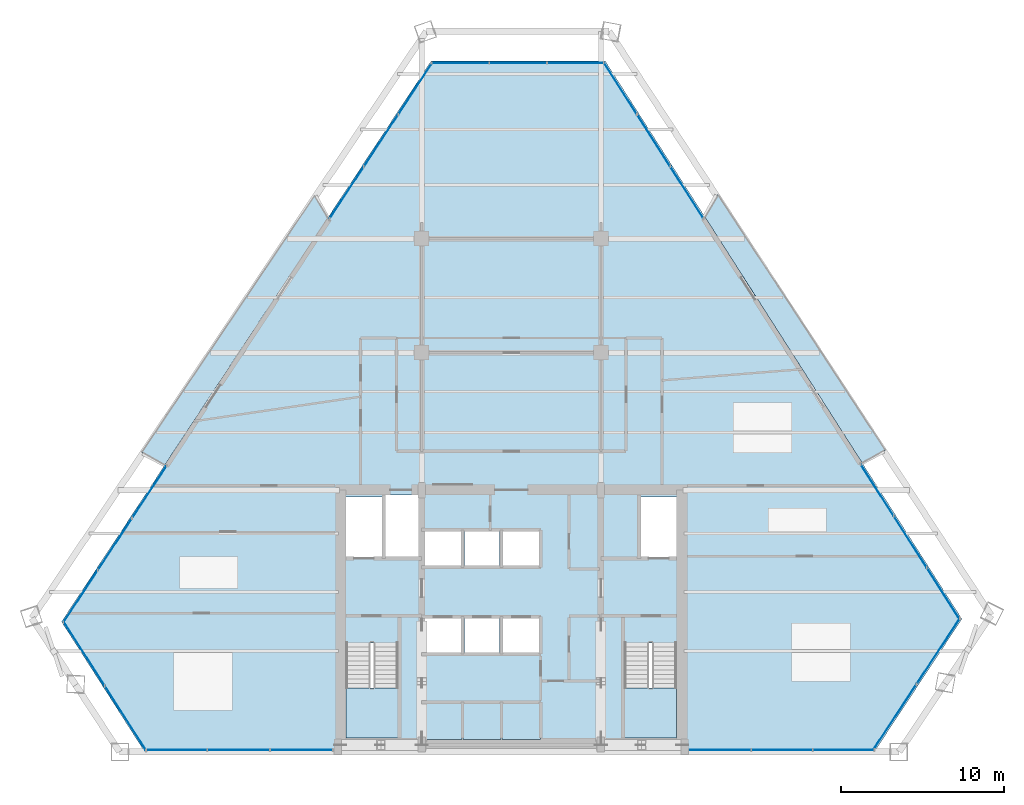
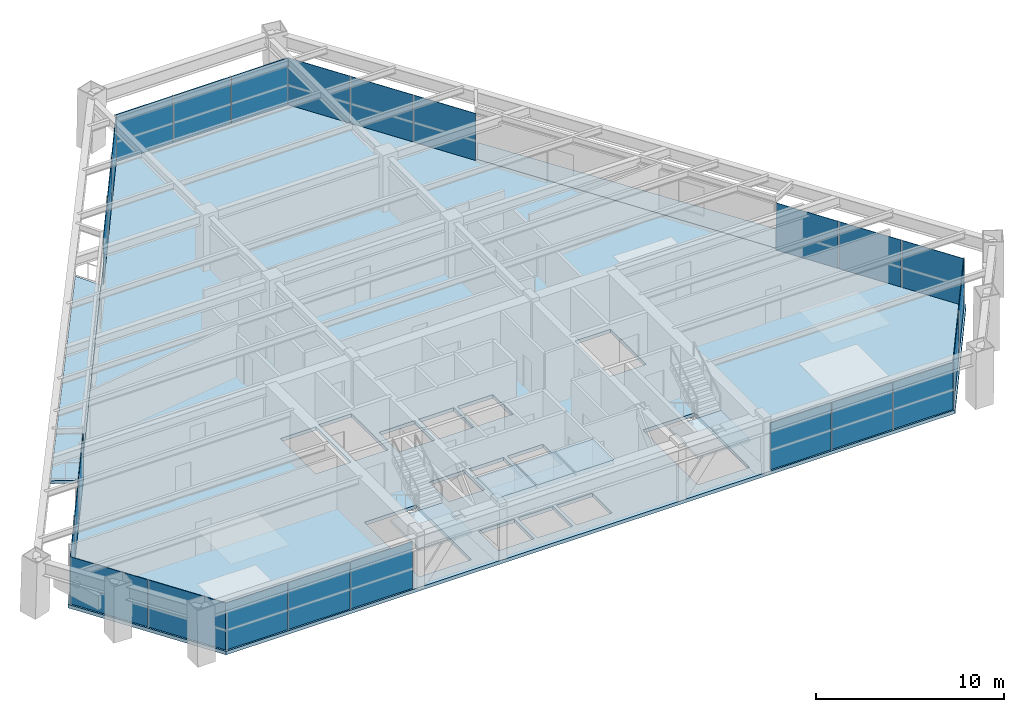
# One storey, part 9 of 14: 25 plates, 8 slabs, 11 elements without a shape of their own.
"""IFC4 building model written with IfcOpenShell, lengths in metres."""

import ifcopenshell
import ifcopenshell.guid

model = None  # the IFC model being written
_history = None  # IfcOwnerHistory: only IFC2X3 demands one
_inside = {}  # id of a spatial element -> (the spatial element, [elements in it])
_under = {}  # id of a project, library or spatial element -> (it, [spatial elements below it])
_declared = {}  # id of a project -> (the project, [libraries it declares])
_typed = {}  # id of a type object -> (the type object, [elements of that type])
_made_of = {}  # id of a material, layer set ... -> (it, [elements and type objects made of it])


def new_model(schema):
    """Start an empty IFC model of exactly this schema.

    Asked for "IFC4X3", IfcOpenShell would pick the latest addendum, in which some entities
    have other attributes; the version numbers below select the first issue.
    IFC2X3 requires an IfcOwnerHistory on every rooted entity: one is made here for all.
    """
    global model, _history
    if schema == "IFC4X3":
        model = ifcopenshell.file(schema_version=(4, 3, 0, 0))
    else:
        model = ifcopenshell.file(schema=schema)
    _inside.clear()
    _under.clear()
    _declared.clear()
    _typed.clear()
    _made_of.clear()
    _history = None
    if model.schema == "IFC2X3":
        org = make("IfcOrganization", Name="unknown")
        user = make(
            "IfcPersonAndOrganization",
            ThePerson=make("IfcPerson", FamilyName="unknown"),
            TheOrganization=org,
        )
        app = make(
            "IfcApplication",
            ApplicationDeveloper=org,
            Version="unknown",
            ApplicationFullName="unknown",
            ApplicationIdentifier="unknown",
        )
        _history = make(
            "IfcOwnerHistory",
            OwningUser=user,
            OwningApplication=app,
            ChangeAction="ADDED",
            CreationDate=0,
        )
    return model


def make(cls, **values):
    """One entity of the class cls with the attributes given. An attribute that is None is left unset."""
    return model.create_entity(
        cls, **{name: value for name, value in values.items() if value is not None}
    )


def rooted(cls, **values):
    """An entity with a GlobalId (a new one), such as an element, a storey or a relation."""
    return make(cls, GlobalId=ifcopenshell.guid.new(), OwnerHistory=_history, **values)


def si_unit(unit_type, name, prefix=None):
    """IfcSIUnit, for example si_unit("LENGTHUNIT", "METRE", prefix="MILLI")."""
    return make("IfcSIUnit", UnitType=unit_type, Prefix=prefix, Name=name)


def assignment(units):
    """IfcUnitAssignment: the units of a project."""
    return None if units is None else make("IfcUnitAssignment", Units=units)


def point(xyz):
    """IfcCartesianPoint."""
    return None if xyz is None else make("IfcCartesianPoint", Coordinates=xyz)


def direction(xyz):
    """IfcDirection."""
    return None if xyz is None else make("IfcDirection", DirectionRatios=xyz)


def frame(location, z_axis=None, x_axis=None):
    """IfcAxis2Placement3D, a coordinate frame: its origin and axes. An axis left out is left unset."""
    return make(
        "IfcAxis2Placement3D",
        Location=point(location),
        Axis=direction(z_axis),
        RefDirection=direction(x_axis),
    )


def frame_2d(location, x_axis=None):
    """IfcAxis2Placement2D, a coordinate frame in the plane: its origin and x axis."""
    return make(
        "IfcAxis2Placement2D", Location=point(location), RefDirection=direction(x_axis)
    )


def origin():
    """The frame at (0, 0, 0) with its axes left unset."""
    return frame((0.0, 0.0, 0.0))


def origin_2d():
    """The frame at (0, 0) in the plane with its x axis left unset."""
    return frame_2d((0.0, 0.0))


def place(relative_to, where):
    """IfcLocalPlacement: puts the frame where relative to a parent placement (None: the world)."""
    return make(
        "IfcLocalPlacement", PlacementRelTo=relative_to, RelativePlacement=where
    )


def context(
    kind, dimensions, precision=None, world=None, true_north=None, identifier=None
):
    """IfcGeometricRepresentationContext, for example the 3D "Model" context."""
    return make(
        "IfcGeometricRepresentationContext",
        ContextIdentifier=identifier,
        ContextType=kind,
        CoordinateSpaceDimension=dimensions,
        Precision=precision,
        WorldCoordinateSystem=world,
        TrueNorth=true_north,
    )


def subcontext(parent, identifier, kind, view, scale=None):
    """IfcGeometricRepresentationSubContext, for example "Body" below "Model"."""
    return make(
        "IfcGeometricRepresentationSubContext",
        ContextIdentifier=identifier,
        ContextType=kind,
        ParentContext=parent,
        TargetScale=scale,
        TargetView=view,
    )


def project(units=None, contexts=None):
    """IfcProject with its units and contexts."""
    return rooted(
        "IfcProject",
        Name="project",
        RepresentationContexts=contexts,
        UnitsInContext=assignment(units),
    )


def spatial(cls, under=None, at=None, **own):
    """A site, building, storey or space (cls), placed at a placement, below another one or the project."""
    s = rooted(cls, ObjectPlacement=at, **own)
    if under is not None:
        _under.setdefault(under.id(), (under, []))[1].append(s)
    return s


def polyline(points):
    """IfcPolyline through the points."""
    return make("IfcPolyline", Points=[point(p) for p in points])


def profile(cls, at=None, kind="AREA", **sizes):
    """A parametric profile (cls). Its sizes go by their IFC names, for example OverallWidth=200.0."""
    return make(cls, ProfileType=kind, Position=at, **sizes)


def rectangle(**sizes):
    """IfcRectangleProfileDef."""
    return profile("IfcRectangleProfileDef", **sizes)


def outline(outer, holes=None, kind="AREA"):
    """IfcArbitraryClosedProfileDef: a profile drawn as a closed curve; with holes, ...WithVoids."""
    if holes is None:
        return make("IfcArbitraryClosedProfileDef", ProfileType=kind, OuterCurve=outer)
    return make(
        "IfcArbitraryProfileDefWithVoids",
        ProfileType=kind,
        OuterCurve=outer,
        InnerCurves=holes,
    )


def extrude(swept, where, along, depth):
    """IfcExtrudedAreaSolid: the profile swept, set in the frame where, extruded along a direction by depth."""
    return make(
        "IfcExtrudedAreaSolid",
        SweptArea=swept,
        Position=where,
        ExtrudedDirection=direction(along),
        Depth=depth,
    )


def shape(context_of_items, identifier, shape_type, items):
    """IfcShapeRepresentation: the items that make up one representation, for example the "Body"."""
    return make(
        "IfcShapeRepresentation",
        ContextOfItems=context_of_items,
        RepresentationIdentifier=identifier,
        RepresentationType=shape_type,
        Items=items,
    )


def source(mapping_origin, context_of_items, identifier, shape_type, items):
    """IfcRepresentationMap: a shape defined once, which mapped items show again and again."""
    return make(
        "IfcRepresentationMap",
        MappingOrigin=mapping_origin,
        MappedRepresentation=shape(context_of_items, identifier, shape_type, items),
    )


def transform(
    local_origin,
    x_axis=None,
    y_axis=None,
    z_axis=None,
    scale=None,
    scale2=None,
    scale3=None,
    uniform=True,
):
    """IfcCartesianTransformationOperator3D, or its non-uniform kind. x_axis, y_axis, z_axis: its Axis1, 2, 3."""
    if uniform:
        return make(
            "IfcCartesianTransformationOperator3D",
            Axis1=direction(x_axis),
            Axis2=direction(y_axis),
            LocalOrigin=point(local_origin),
            Scale=scale,
            Axis3=direction(z_axis),
        )
    return make(
        "IfcCartesianTransformationOperator3DnonUniform",
        Axis1=direction(x_axis),
        Axis2=direction(y_axis),
        LocalOrigin=point(local_origin),
        Scale=scale,
        Axis3=direction(z_axis),
        Scale2=scale2,
        Scale3=scale3,
    )


def mapped(mapping_source, mapping_target):
    """IfcMappedItem: shows the shape of a source again, moved by a transform."""
    return make(
        "IfcMappedItem", MappingSource=mapping_source, MappingTarget=mapping_target
    )


def material(Name=None, Category=None):
    """IfcMaterial."""
    return make("IfcMaterial", Name=Name, Category=Category)


def layer(
    of_material, thickness, ventilated=None, Name=None, Category=None, Priority=None
):
    """IfcMaterialLayer: one layer of a wall or slab, of a material (None: an air gap)."""
    return make(
        "IfcMaterialLayer",
        Material=of_material,
        LayerThickness=thickness,
        IsVentilated=ventilated,
        Name=Name,
        Category=Category,
        Priority=Priority,
    )


def layer_set(layers, Name=None):
    """IfcMaterialLayerSet."""
    return make("IfcMaterialLayerSet", MaterialLayers=layers, LayerSetName=Name)


def made_of(thing, what):
    """Note that an element or type object is made of a material, layer set ...; save() writes the relation."""
    if what is not None:
        _made_of.setdefault(what.id(), (what, []))[1].append(thing)
    return thing


def type_object(cls, material=None, **own):
    """A type object (cls), such as IfcWallType, which elements share."""
    return made_of(rooted(cls, **own), material)


def type_shapes(of_type, sources):
    """Give a type object the sources (RepresentationMaps) that its elements show as mapped items."""
    of_type.RepresentationMaps = sources


def element(
    cls,
    number,
    at=None,
    inside=None,
    cuts=None,
    type_object=None,
    material=None,
    context=None,
    identifier="Body",
    shape_type=None,
    held_by="IfcProductDefinitionShape",
    body=None,
    shapes=None,
    **own,
):
    """One element of the class cls, such as IfcWall. Its Tag is "e" and its number.

    at: its placement. inside: the storey or other place that contains it. cuts: it is an
    opening in that element (IfcRelVoidsElement). A single representation is given by context,
    identifier, shape_type and body (its items); several are given by shapes. held_by: the class
    of the entity that holds the representations. save() writes the other relations.
    """
    e = rooted(cls, Tag="e%d" % number, ObjectPlacement=at, **own)
    if body is not None:
        shapes = [shape(context, identifier, shape_type, body)]
    if shapes is not None:
        e.Representation = make(held_by, Representations=shapes)
    if inside is not None:
        _inside.setdefault(inside.id(), (inside, []))[1].append(e)
    if cuts is not None:
        rooted(
            "IfcRelVoidsElement", RelatingBuildingElement=cuts, RelatedOpeningElement=e
        )
    if type_object is not None:
        _typed.setdefault(type_object.id(), (type_object, []))[1].append(e)
    return made_of(e, material)


def aggregate(whole, parts):
    """IfcRelAggregates: a whole, such as a stair, and the parts it consists of."""
    return rooted("IfcRelAggregates", RelatingObject=whole, RelatedObjects=parts)


def save(model, path):
    """Write the relations noted so far, then the file.

    IfcRelAggregates (storeys below a building ...), IfcRelContainedInSpatialStructure (elements
    in a storey), IfcRelDefinesByType, IfcRelAssociatesMaterial and IfcRelDeclares: one each for
    every whole, place, type object, material and project.
    """
    for whole, parts in _under.values():
        aggregate(whole, parts)
    for where, things in _inside.values():
        rooted(
            "IfcRelContainedInSpatialStructure",
            RelatedElements=things,
            RelatingStructure=where,
        )
    for kind, things in _typed.values():
        rooted("IfcRelDefinesByType", RelatedObjects=things, RelatingType=kind)
    for what, things in _made_of.values():
        rooted("IfcRelAssociatesMaterial", RelatedObjects=things, RelatingMaterial=what)
    for by, libraries in _declared.values():
        rooted("IfcRelDeclares", RelatingContext=by, RelatedDefinitions=libraries)
    model.write(path)


model = new_model("IFC4")

# Units and contexts
model_context = context("Model", 3, precision=1e-05, world=origin(), true_north=direction((0.0, 1.0)))
body_context = subcontext(model_context, "Body", "Model", "MODEL_VIEW")
ifc_project = project(units=[si_unit("LENGTHUNIT", "METRE"), si_unit("AREAUNIT", "SQUARE_METRE"), si_unit("VOLUMEUNIT", "CUBIC_METRE"), si_unit("PLANEANGLEUNIT", "RADIAN"), si_unit("MASSUNIT", "GRAM", prefix="KILO")], contexts=[model_context])

# Site, building, storey
site_placement = place(None, origin())
site = spatial("IfcSite", under=ifc_project, at=site_placement, CompositionType="ELEMENT")
building_placement = place(site_placement, origin())
building = spatial("IfcBuilding", under=site, at=building_placement, Name="Varnakhor Terracotta Tower", CompositionType="ELEMENT")
storey_placement = place(building_placement, frame((0.0, 0.0, 125.60009765625)))
storey = spatial("IfcBuildingStorey", under=building, at=storey_placement, Name="L31", CompositionType="ELEMENT", Elevation=125.60009765625)

# Stair, slab
ifc_material_1 = material(Name="Concrete C40/50", Category="concrete")
stair_type = type_object("IfcStairType", Name="STR-CORE-OFFICE-1500", PredefinedType="HALF_TURN_STAIR", material=ifc_material_1)
stair_1_placement = place(storey_placement, origin())
stair_1 = element("IfcStair", 1, at=stair_1_placement, inside=storey, type_object=stair_type, Name="L31 Core Exit Stair ST-1", PredefinedType="HALF_TURN_STAIR")
ifc_layer_1 = layer(ifc_material_1, 0.179931640625, Name="Concrete C40/50")
ifc_layer_set_1 = layer_set([ifc_layer_1], Name="Concrete C40/50")
slab_type_1 = type_object("IfcSlabType", Name="SLB-LANDING-180", PredefinedType="LANDING", material=ifc_layer_set_1)
slab_1_placement = place(storey_placement, frame((0.0, 0.0, 1.64990234375)))
slab_1 = element("IfcSlab", 2, at=slab_1_placement, type_object=slab_type_1, Name="ST-1 landing 1", PredefinedType="LANDING", context=body_context, shape_type="SweptSolid", body=[
    extrude(outline(polyline([(-10.14990234375, 3.909912109375), (-10.14990234375, 0.85009765625), (-6.949951171875, 0.85009765625), (-6.949951171875, 3.909912109375), (-10.14990234375, 3.909912109375)])), origin(), (0.0, 0.0, 1.0), 0.199951171875),
])
aggregate(stair_1, [slab_1])

stair_2_placement = place(storey_placement, origin())
stair_2 = element("IfcStair", 3, at=stair_2_placement, inside=storey, type_object=stair_type, Name="L31 Core Exit Stair ST-2", PredefinedType="HALF_TURN_STAIR")
slab_2_placement = place(storey_placement, frame((0.0, 0.0, 1.64990234375)))
slab_2 = element("IfcSlab", 4, at=slab_2_placement, type_object=slab_type_1, Name="ST-2 landing 1", PredefinedType="LANDING", context=body_context, shape_type="SweptSolid", body=[
    extrude(outline(polyline([(6.949951171875, 3.909912109375), (6.949951171875, 0.85009765625), (10.14990234375, 0.85009765625), (10.14990234375, 3.909912109375), (6.949951171875, 3.909912109375)])), origin(), (0.0, 0.0, 1.0), 0.199951171875),
])
aggregate(stair_2, [slab_2])

# Slabs
ifc_layer_2 = layer(ifc_material_1, 0.195068359375, Name="Concrete C40/50")
ifc_layer_set_2 = layer_set([ifc_layer_2], Name="Concrete C40/50")
slab_type_2 = type_object("IfcSlabType", Name="SLB-LOGGIA-EXT-195", PredefinedType="FLOOR", material=ifc_layer_set_2)
slab_3_placement = place(storey_placement, frame((0.0, 0.0, -0.195068359375)))
element("IfcSlab", 5, at=slab_3_placement, inside=storey, type_object=slab_type_2, Name="L31 E Recessed Outdoor Loggia Slab", PredefinedType="FLOOR", context=body_context, shape_type="SweptSolid", body=[
    extrude(outline(polyline([(12.67138671875, 34.20263671875), (22.958251953125, 18.49658203125), (21.529052734375, 17.7431640625), (14.51416015625, 28.715576171875), (11.89697265625, 32.8095703125), (12.67138671875, 34.20263671875)])), origin(), (0.0, 0.0, 1.0), 0.195068359375),
])
slab_4_placement = place(storey_placement, frame((0.0, 0.0, -0.195068359375)))
element("IfcSlab", 6, at=slab_4_placement, inside=storey, type_object=slab_type_2, Name="L31 W Recessed Outdoor Loggia Slab", PredefinedType="FLOOR", context=body_context, shape_type="SweptSolid", body=[
    extrude(outline(polyline([(-22.692138671875, 18.3681640625), (-12.05322265625, 34.15283203125), (-11.276611328125, 32.76171875), (-21.2578125, 17.6201171875), (-22.692138671875, 18.3681640625)])), origin(), (0.0, 0.0, 1.0), 0.195068359375),
])
ifc_layer_3 = layer(ifc_material_1, 0.22998046875, Name="Concrete C40/50")
ifc_layer_set_3 = layer_set([ifc_layer_3], Name="Concrete C40/50")
slab_type_3 = type_object("IfcSlabType", Name="SLB-OFF-230", PredefinedType="FLOOR", material=ifc_layer_set_3)
slab_5_placement = place(storey_placement, frame((0.0, 0.0, -0.22998046875)))
element("IfcSlab", 7, at=slab_5_placement, inside=storey, type_object=slab_type_3, Name="L31 Structural Floor Slab", PredefinedType="FLOOR", context=body_context, shape_type="SweptSolid", body=[
    extrude(outline(polyline([(-27.609375, 7.984619140625), (-4.925048828125, 42.397216796875), (5.767333984375, 42.397216796875), (27.65869140625, 8.1552734375), (22.282958984375, 0.0), (-22.504638671875, 0.0), (-27.609375, 7.984619140625)]), holes=[polyline([(-3.10009765625, 0.85009765625), (-3.10009765625, 2.949951171875), (-5.300048828125, 2.949951171875), (-5.300048828125, 0.85009765625), (-3.10009765625, 0.85009765625)]), polyline([(-2.8798828125, 0.85009765625), (-0.719970703125, 0.85009765625), (-0.719970703125, 2.949951171875), (-2.8798828125, 2.949951171875), (-2.8798828125, 0.85009765625)]), polyline([(-10.14990234375, 0.85009765625), (-6.949951171875, 0.85009765625), (-6.949951171875, 6.695068359375), (-10.14990234375, 6.695068359375), (-10.14990234375, 0.85009765625)]), polyline([(-5.300048828125, 6.10009765625), (-3.10009765625, 6.10009765625), (-3.10009765625, 8.199951171875), (-5.300048828125, 8.199951171875), (-5.300048828125, 6.10009765625)]), polyline([(-5.300048828125, 11.419921875), (-3.10009765625, 11.419921875), (-3.10009765625, 13.52001953125), (-5.300048828125, 13.52001953125), (-5.300048828125, 11.419921875)]), polyline([(-10.14990234375, 11.8798828125), (-7.949951171875, 11.8798828125), (-7.949951171875, 15.64990234375), (-10.14990234375, 15.64990234375), (-10.14990234375, 11.8798828125)]), polyline([(-7.72998046875, 11.8798828125), (-5.699951171875, 11.8798828125), (-5.699951171875, 15.75), (-7.72998046875, 15.75), (-7.72998046875, 11.8798828125)]), polyline([(1.699951171875, 0.85009765625), (1.699951171875, 2.949951171875), (-0.5, 2.949951171875), (-0.5, 0.85009765625), (1.699951171875, 0.85009765625)]), polyline([(6.949951171875, 0.85009765625), (10.14990234375, 0.85009765625), (10.14990234375, 6.695068359375), (6.949951171875, 6.695068359375), (6.949951171875, 0.85009765625)]), polyline([(-2.8798828125, 6.10009765625), (-0.719970703125, 6.10009765625), (-0.719970703125, 8.199951171875), (-2.8798828125, 8.199951171875), (-2.8798828125, 6.10009765625)]), polyline([(-0.5, 6.10009765625), (1.699951171875, 6.10009765625), (1.699951171875, 8.199951171875), (-0.5, 8.199951171875), (-0.5, 6.10009765625)]), polyline([(-2.8798828125, 11.419921875), (-0.719970703125, 11.419921875), (-0.719970703125, 13.52001953125), (-2.8798828125, 13.52001953125), (-2.8798828125, 11.419921875)]), polyline([(-0.5, 11.419921875), (1.699951171875, 11.419921875), (1.699951171875, 13.52001953125), (-0.5, 13.52001953125), (-0.5, 11.419921875)]), polyline([(7.949951171875, 11.8798828125), (10.14990234375, 11.8798828125), (10.14990234375, 15.64990234375), (7.949951171875, 15.64990234375), (7.949951171875, 11.8798828125)])]), origin(), (0.0, 0.0, 1.0), 0.22998046875),
])
ifc_layer_4 = layer(ifc_material_1, 0.300048828125, Name="Concrete C40/50")
ifc_layer_set_4 = layer_set([ifc_layer_4], Name="Concrete C40/50")
slab_type_4 = type_object("IfcSlabType", Name="SLB-PLANT-300", PredefinedType="FLOOR", material=ifc_layer_set_4)
slab_6_placement = place(storey_placement, frame((0.0, 0.0, 3.219970703125)))
element("IfcSlab", 8, at=slab_6_placement, inside=storey, type_object=slab_type_4, Name="Lift PL-1A Hoistway Overrun Cap Slab", PredefinedType="FLOOR", context=body_context, shape_type="SweptSolid", body=[
    extrude(outline(polyline([(-5.3798828125, 0.77001953125), (-3.02001953125, 0.77001953125), (-3.02001953125, 3.030029296875), (-5.3798828125, 3.030029296875), (-5.3798828125, 0.77001953125)])), origin(), (0.0, 0.0, 1.0), 0.25),
])
slab_7_placement = place(storey_placement, frame((0.0, 0.0, 3.219970703125)))
element("IfcSlab", 9, at=slab_7_placement, inside=storey, type_object=slab_type_4, Name="Lift PL-1B Hoistway Overrun Cap Slab", PredefinedType="FLOOR", context=body_context, shape_type="SweptSolid", body=[
    extrude(outline(polyline([(-2.9599609375, 0.77001953125), (-0.639892578125, 0.77001953125), (-0.639892578125, 3.030029296875), (-2.9599609375, 3.030029296875), (-2.9599609375, 0.77001953125)])), origin(), (0.0, 0.0, 1.0), 0.25),
])
slab_8_placement = place(storey_placement, frame((0.0, 0.0, 3.219970703125)))
element("IfcSlab", 10, at=slab_8_placement, inside=storey, type_object=slab_type_4, Name="Lift PL-1C Hoistway Overrun Cap Slab", PredefinedType="FLOOR", context=body_context, shape_type="SweptSolid", body=[
    extrude(outline(polyline([(-0.580078125, 0.77001953125), (1.780029296875, 0.77001953125), (1.780029296875, 3.030029296875), (-0.580078125, 3.030029296875), (-0.580078125, 0.77001953125)])), origin(), (0.0, 0.0, 1.0), 0.25),
])

# Curtain wall, plates
ifc_material_2 = material(Name="Anodised Aluminium Curtain Wall System", Category="aluminium")
curtain_wall_type = type_object("IfcCurtainWallType", Name="CW-SYS-MID-OFFICE", PredefinedType="NOTDEFINED", material=ifc_material_2)
curtain_wall_1_placement = place(storey_placement, origin())
curtain_wall_1 = element("IfcCurtainWall", 11, at=curtain_wall_1_placement, inside=storey, type_object=curtain_wall_type, Name="L31 W Facet Curtain Wall 1", PredefinedType="NOTDEFINED")
ifc_material_3 = material(Name="Solar-Control Low-E Insulated Glass Panel", Category="glass")
ifc_layer_5 = layer(ifc_material_3, 0.035888671875, Name="Solar-Control Low-E Insulated Glass Panel")
ifc_layer_set_5 = layer_set([ifc_layer_5], Name="Solar-Control Low-E Insulated Glass Panel")
plate_type = type_object("IfcPlateType", Name="CWP-03", PredefinedType="CURTAIN_PANEL", material=ifc_layer_set_5)
shared_shape_1 = source(origin(), body_context, "Body", "SweptSolid", [
    extrude(rectangle(XDim=3.786865234375, YDim=0.035888671875, at=origin_2d()), origin(), (0.0, 0.0, 1.0), 3.050048828125),
])
type_shapes(plate_type, [shared_shape_1])
plate_1_placement = place(storey_placement, frame((-26.439453125, 9.541015625, 0.0), z_axis=(0.0, 0.0, 1.0), x_axis=(0.550364167968, 0.834924716736, 0.0)))
plate_1 = element("IfcPlate", 12, at=plate_1_placement, type_object=plate_type, Name="L31 W Facet Curtain Wall 1 Glazed Panel 1", PredefinedType="CURTAIN_PANEL", context=body_context, shape_type="MappedRepresentation", body=[
    mapped(shared_shape_1, transform((0.0, 0.0, 0.0), scale=1.0)),
])
plate_2_placement = place(storey_placement, frame((-24.333251953125, 12.736328125, 0.0), z_axis=(0.0, 0.0, 1.0), x_axis=(0.550364167968, 0.834924716736, 0.0)))
plate_2 = element("IfcPlate", 13, at=plate_2_placement, type_object=plate_type, Name="L31 W Facet Curtain Wall 1 Glazed Panel 2", PredefinedType="CURTAIN_PANEL", context=body_context, shape_type="MappedRepresentation", body=[
    mapped(shared_shape_1, transform((0.0, 0.0, 0.0), scale=1.0)),
])
plate_3_placement = place(storey_placement, frame((-22.22705078125, 15.931396484375, 0.0), z_axis=(0.0, 0.0, 1.0), x_axis=(0.550364167968, 0.834924716736, 0.0)))
plate_3 = element("IfcPlate", 14, at=plate_3_placement, type_object=plate_type, Name="L31 W Facet Curtain Wall 1 Glazed Panel 3", PredefinedType="CURTAIN_PANEL", context=body_context, shape_type="MappedRepresentation", body=[
    mapped(shared_shape_1, transform((0.0, 0.0, 0.0), scale=1.0)),
])
aggregate(curtain_wall_1, [plate_1, plate_2, plate_3])

curtain_wall_2_placement = place(storey_placement, origin())
curtain_wall_2 = element("IfcCurtainWall", 15, at=curtain_wall_2_placement, inside=storey, type_object=curtain_wall_type, Name="L31 W Facet Curtain Wall 2", PredefinedType="NOTDEFINED")
plate_4_placement = place(storey_placement, frame((-10.10693359375, 34.318359375, 0.0), z_axis=(0.0, 0.0, 1.0), x_axis=(0.550364167968, 0.834924716736, 0.0)))
plate_4 = element("IfcPlate", 16, at=plate_4_placement, type_object=plate_type, Name="L31 W Facet Curtain Wall 2 Glazed Panel 1", PredefinedType="CURTAIN_PANEL", context=body_context, shape_type="MappedRepresentation", body=[
    mapped(shared_shape_1, transform((0.0, 0.0, 0.0), scale=1.0)),
])
plate_5_placement = place(storey_placement, frame((-8.000732421875, 37.513427734375, 0.0), z_axis=(0.0, 0.0, 1.0), x_axis=(0.550364167968, 0.834924716736, 0.0)))
plate_5 = element("IfcPlate", 17, at=plate_5_placement, type_object=plate_type, Name="L31 W Facet Curtain Wall 2 Glazed Panel 2", PredefinedType="CURTAIN_PANEL", context=body_context, shape_type="MappedRepresentation", body=[
    mapped(shared_shape_1, transform((0.0, 0.0, 0.0), scale=1.0)),
])
plate_6_placement = place(storey_placement, frame((-5.89453125, 40.70849609375, 0.0), z_axis=(0.0, 0.0, 1.0), x_axis=(0.550364167968, 0.834924716736, 0.0)))
plate_6 = element("IfcPlate", 18, at=plate_6_placement, type_object=plate_type, Name="L31 W Facet Curtain Wall 2 Glazed Panel 3", PredefinedType="CURTAIN_PANEL", context=body_context, shape_type="MappedRepresentation", body=[
    mapped(shared_shape_1, transform((0.0, 0.0, 0.0), scale=1.0)),
])
aggregate(curtain_wall_2, [plate_4, plate_5, plate_6])

curtain_wall_3_placement = place(storey_placement, origin())
curtain_wall_3 = element("IfcCurtainWall", 19, at=curtain_wall_3_placement, inside=storey, type_object=curtain_wall_type, Name="L31 Facet Curtain Wall 2", PredefinedType="NOTDEFINED")
shared_shape_2 = source(origin(), body_context, "Body", "SweptSolid", [
    extrude(rectangle(XDim=3.504150390625, YDim=0.035888671875, at=origin_2d()), origin(), (0.0, 0.0, 1.0), 3.050048828125),
])
plate_7_placement = place(storey_placement, frame((-3.123046875, 42.27734375, 0.0), z_axis=(0.0, 0.0, 1.0), x_axis=(1.0, 0.0, 0.0)))
plate_7 = element("IfcPlate", 20, at=plate_7_placement, type_object=plate_type, Name="L31 Facet Curtain Wall 2 Glazed Panel 1", PredefinedType="CURTAIN_PANEL", context=body_context, shape_type="MappedRepresentation", body=[
    mapped(shared_shape_2, transform((0.0, 0.0, 0.0), scale=1.0)),
])
plate_8_placement = place(storey_placement, frame((0.421142578125, 42.27734375, 0.0), z_axis=(0.0, 0.0, 1.0), x_axis=(1.0, 0.0, 0.0)))
plate_8 = element("IfcPlate", 21, at=plate_8_placement, type_object=plate_type, Name="L31 Facet Curtain Wall 2 Glazed Panel 2", PredefinedType="CURTAIN_PANEL", context=body_context, shape_type="MappedRepresentation", body=[
    mapped(shared_shape_2, transform((0.0, 0.0, 0.0), scale=1.0)),
])
plate_9_placement = place(storey_placement, frame((3.96533203125, 42.27734375, 0.0), z_axis=(0.0, 0.0, 1.0), x_axis=(1.0, 0.0, 0.0)))
plate_9 = element("IfcPlate", 22, at=plate_9_placement, type_object=plate_type, Name="L31 Facet Curtain Wall 2 Glazed Panel 3", PredefinedType="CURTAIN_PANEL", context=body_context, shape_type="MappedRepresentation", body=[
    mapped(shared_shape_2, transform((0.0, 0.0, 0.0), scale=1.0)),
])
aggregate(curtain_wall_3, [plate_7, plate_8, plate_9])

curtain_wall_4_placement = place(storey_placement, origin())
curtain_wall_4 = element("IfcCurtainWall", 23, at=curtain_wall_4_placement, inside=storey, type_object=curtain_wall_type, Name="L31 E Facet Curtain Wall 1", PredefinedType="NOTDEFINED")
shared_shape_3 = source(origin(), body_context, "Body", "SweptSolid", [
    extrude(rectangle(XDim=3.733154296875, YDim=0.035888671875, at=origin_2d()), origin(), (0.0, 0.0, 1.0), 3.050048828125),
])
plate_10_placement = place(storey_placement, frame((6.698486328125, 40.7177734375, 0.0), z_axis=(0.0, 0.0, 1.0), x_axis=(0.538638446248, -0.84253701653, 0.0)))
plate_10 = element("IfcPlate", 24, at=plate_10_placement, type_object=plate_type, Name="L31 E Facet Curtain Wall 1 Glazed Panel 1", PredefinedType="CURTAIN_PANEL", context=body_context, shape_type="MappedRepresentation", body=[
    mapped(shared_shape_3, transform((0.0, 0.0, 0.0), scale=1.0)),
])
plate_11_placement = place(storey_placement, frame((8.73095703125, 37.538818359375, 0.0), z_axis=(0.0, 0.0, 1.0), x_axis=(0.538638446248, -0.84253701653, 0.0)))
plate_11 = element("IfcPlate", 25, at=plate_11_placement, type_object=plate_type, Name="L31 E Facet Curtain Wall 1 Glazed Panel 2", PredefinedType="CURTAIN_PANEL", context=body_context, shape_type="MappedRepresentation", body=[
    mapped(shared_shape_3, transform((0.0, 0.0, 0.0), scale=1.0)),
])
plate_12_placement = place(storey_placement, frame((10.763427734375, 34.359619140625, 0.0), z_axis=(0.0, 0.0, 1.0), x_axis=(0.538638446248, -0.84253701653, 0.0)))
plate_12 = element("IfcPlate", 26, at=plate_12_placement, type_object=plate_type, Name="L31 E Facet Curtain Wall 1 Glazed Panel 3", PredefinedType="CURTAIN_PANEL", context=body_context, shape_type="MappedRepresentation", body=[
    mapped(shared_shape_3, transform((0.0, 0.0, 0.0), scale=1.0)),
])
aggregate(curtain_wall_4, [plate_10, plate_11, plate_12])

curtain_wall_5_placement = place(storey_placement, origin())
curtain_wall_5 = element("IfcCurtainWall", 27, at=curtain_wall_5_placement, inside=storey, type_object=curtain_wall_type, Name="L31 E Facet Curtain Wall 2", PredefinedType="NOTDEFINED")
plate_13_placement = place(storey_placement, frame((22.46044921875, 16.063720703125, 0.0), z_axis=(0.0, 0.0, 1.0), x_axis=(0.538638446248, -0.84253701653, 0.0)))
plate_13 = element("IfcPlate", 28, at=plate_13_placement, type_object=plate_type, Name="L31 E Facet Curtain Wall 2 Glazed Panel 1", PredefinedType="CURTAIN_PANEL", context=body_context, shape_type="MappedRepresentation", body=[
    mapped(shared_shape_3, transform((0.0, 0.0, 0.0), scale=1.0)),
])
plate_14_placement = place(storey_placement, frame((24.492919921875, 12.884521484375, 0.0), z_axis=(0.0, 0.0, 1.0), x_axis=(0.538638446248, -0.84253701653, 0.0)))
plate_14 = element("IfcPlate", 29, at=plate_14_placement, type_object=plate_type, Name="L31 E Facet Curtain Wall 2 Glazed Panel 2", PredefinedType="CURTAIN_PANEL", context=body_context, shape_type="MappedRepresentation", body=[
    mapped(shared_shape_3, transform((0.0, 0.0, 0.0), scale=1.0)),
])
plate_15_placement = place(storey_placement, frame((26.525146484375, 9.705322265625, 0.0), z_axis=(0.0, 0.0, 1.0), x_axis=(0.538638446248, -0.84253701653, 0.0)))
plate_15 = element("IfcPlate", 30, at=plate_15_placement, type_object=plate_type, Name="L31 E Facet Curtain Wall 2 Glazed Panel 3", PredefinedType="CURTAIN_PANEL", context=body_context, shape_type="MappedRepresentation", body=[
    mapped(shared_shape_3, transform((0.0, 0.0, 0.0), scale=1.0)),
])
aggregate(curtain_wall_5, [plate_13, plate_14, plate_15])

curtain_wall_6_placement = place(storey_placement, origin())
curtain_wall_6 = element("IfcCurtainWall", 31, at=curtain_wall_6_placement, inside=storey, type_object=curtain_wall_type, Name="L31 Facet Curtain Wall 4", PredefinedType="NOTDEFINED")
shared_shape_4 = source(origin(), body_context, "Body", "SweptSolid", [
    extrude(rectangle(XDim=4.81396484375, YDim=0.035888671875, at=origin_2d()), origin(), (0.0, 0.0, 1.0), 3.050048828125),
])
plate_16_placement = place(storey_placement, frame((26.206298828125, 6.169921875, 0.0), z_axis=(0.0, 0.0, 1.0), x_axis=(-0.550364167968, -0.834924716736, 0.0)))
plate_16 = element("IfcPlate", 32, at=plate_16_placement, type_object=plate_type, Name="L31 Facet Curtain Wall 4 Glazed Panel 1", PredefinedType="CURTAIN_PANEL", context=body_context, shape_type="MappedRepresentation", body=[
    mapped(shared_shape_4, transform((0.0, 0.0, 0.0), scale=1.0)),
])
plate_17_placement = place(storey_placement, frame((23.534912109375, 2.117431640625, 0.0), z_axis=(0.0, 0.0, 1.0), x_axis=(-0.550364167968, -0.834924716736, 0.0)))
plate_17 = element("IfcPlate", 33, at=plate_17_placement, type_object=plate_type, Name="L31 Facet Curtain Wall 4 Glazed Panel 2", PredefinedType="CURTAIN_PANEL", context=body_context, shape_type="MappedRepresentation", body=[
    mapped(shared_shape_4, transform((0.0, 0.0, 0.0), scale=1.0)),
])
aggregate(curtain_wall_6, [plate_16, plate_17])

curtain_wall_7_placement = place(storey_placement, origin())
curtain_wall_7 = element("IfcCurtainWall", 34, at=curtain_wall_7_placement, inside=storey, type_object=curtain_wall_type, Name="L31 South Wing Curtain Wall SSE", PredefinedType="NOTDEFINED")
shared_shape_5 = source(origin(), body_context, "Body", "SweptSolid", [
    extrude(rectangle(XDim=3.7275390625, YDim=0.035888671875, at=origin_2d()), origin(), (0.0, 0.0, 1.0), 3.050048828125),
])
plate_18_placement = place(storey_placement, frame((20.38916015625, 0.1201171875, 0.0), z_axis=(0.0, 0.0, 1.0), x_axis=(-1.0, 0.0, 0.0)))
plate_18 = element("IfcPlate", 35, at=plate_18_placement, type_object=plate_type, Name="L31 South Wing Curtain Wall SSE Glazed Panel 1", PredefinedType="CURTAIN_PANEL", context=body_context, shape_type="MappedRepresentation", body=[
    mapped(shared_shape_5, transform((0.0, 0.0, 0.0), scale=1.0)),
])
plate_19_placement = place(storey_placement, frame((12.853759765625, 0.1201171875, 0.0), z_axis=(0.0, 0.0, 1.0), x_axis=(-1.0, 0.0, 0.0)))
plate_19 = element("IfcPlate", 36, at=plate_19_placement, type_object=plate_type, Name="L31 South Wing Curtain Wall SSE Glazed Panel 3", PredefinedType="CURTAIN_PANEL", context=body_context, shape_type="MappedRepresentation", body=[
    mapped(shared_shape_5, transform((0.0, 0.0, 0.0), scale=1.0)),
])
shared_shape_6 = source(origin(), body_context, "Body", "SweptSolid", [
    extrude(rectangle(XDim=3.727783203125, YDim=0.035888671875, at=origin_2d()), origin(), (0.0, 0.0, 1.0), 3.050048828125),
])
plate_20_placement = place(storey_placement, frame((16.621337890625, 0.1201171875, 0.0), z_axis=(0.0, 0.0, 1.0), x_axis=(-1.0, 0.0, 0.0)))
plate_20 = element("IfcPlate", 37, at=plate_20_placement, type_object=plate_type, Name="L31 South Wing Curtain Wall SSE Glazed Panel 2", PredefinedType="CURTAIN_PANEL", context=body_context, shape_type="MappedRepresentation", body=[
    mapped(shared_shape_6, transform((0.0, 0.0, 0.0), scale=1.0)),
])
aggregate(curtain_wall_7, [plate_18, plate_20, plate_19])

curtain_wall_8_placement = place(storey_placement, origin())
curtain_wall_8 = element("IfcCurtainWall", 38, at=curtain_wall_8_placement, inside=storey, type_object=curtain_wall_type, Name="L31 South Wing Curtain Wall SSW", PredefinedType="NOTDEFINED")
shared_shape_7 = source(origin(), body_context, "Body", "SweptSolid", [
    extrude(rectangle(XDim=3.801513671875, YDim=0.035888671875, at=origin_2d()), origin(), (0.0, 0.0, 1.0), 3.050048828125),
])
plate_21_placement = place(storey_placement, frame((-12.890869140625, 0.1201171875, 0.0), z_axis=(0.0, 0.0, 1.0), x_axis=(-1.0, 0.0, 0.0)))
plate_21 = element("IfcPlate", 39, at=plate_21_placement, type_object=plate_type, Name="L31 South Wing Curtain Wall SSW Glazed Panel 1", PredefinedType="CURTAIN_PANEL", context=body_context, shape_type="MappedRepresentation", body=[
    mapped(shared_shape_7, transform((0.0, 0.0, 0.0), scale=1.0)),
])
plate_22_placement = place(storey_placement, frame((-16.732421875, 0.1201171875, 0.0), z_axis=(0.0, 0.0, 1.0), x_axis=(-1.0, 0.0, 0.0)))
plate_22 = element("IfcPlate", 40, at=plate_22_placement, type_object=plate_type, Name="L31 South Wing Curtain Wall SSW Glazed Panel 2", PredefinedType="CURTAIN_PANEL", context=body_context, shape_type="MappedRepresentation", body=[
    mapped(shared_shape_7, transform((0.0, 0.0, 0.0), scale=1.0)),
])
plate_23_placement = place(storey_placement, frame((-20.573974609375, 0.1201171875, 0.0), z_axis=(0.0, 0.0, 1.0), x_axis=(-1.0, 0.0, 0.0)))
plate_23 = element("IfcPlate", 41, at=plate_23_placement, type_object=plate_type, Name="L31 South Wing Curtain Wall SSW Glazed Panel 3", PredefinedType="CURTAIN_PANEL", context=body_context, shape_type="MappedRepresentation", body=[
    mapped(shared_shape_7, transform((0.0, 0.0, 0.0), scale=1.0)),
])
aggregate(curtain_wall_8, [plate_21, plate_22, plate_23])

curtain_wall_9_placement = place(storey_placement, origin())
curtain_wall_9 = element("IfcCurtainWall", 42, at=curtain_wall_9_placement, inside=storey, type_object=curtain_wall_type, Name="L31 Facet Curtain Wall 6", PredefinedType="NOTDEFINED")
shared_shape_8 = source(origin(), body_context, "Body", "SweptSolid", [
    extrude(rectangle(XDim=4.66845703125, YDim=0.035888671875, at=origin_2d()), origin(), (0.0, 0.0, 1.0), 3.050048828125),
])
plate_24_placement = place(storey_placement, frame((-23.687744140625, 2.073486328125, 0.0), z_axis=(0.0, 0.0, 1.0), x_axis=(-0.538638446248, 0.84253701653, 0.0)))
plate_24 = element("IfcPlate", 43, at=plate_24_placement, type_object=plate_type, Name="L31 Facet Curtain Wall 6 Glazed Panel 1", PredefinedType="CURTAIN_PANEL", context=body_context, shape_type="MappedRepresentation", body=[
    mapped(shared_shape_8, transform((0.0, 0.0, 0.0), scale=1.0)),
])
plate_25_placement = place(storey_placement, frame((-26.22412109375, 6.040283203125, 0.0), z_axis=(0.0, 0.0, 1.0), x_axis=(-0.538638446248, 0.84253701653, 0.0)))
plate_25 = element("IfcPlate", 44, at=plate_25_placement, type_object=plate_type, Name="L31 Facet Curtain Wall 6 Glazed Panel 2", PredefinedType="CURTAIN_PANEL", context=body_context, shape_type="MappedRepresentation", body=[
    mapped(shared_shape_8, transform((0.0, 0.0, 0.0), scale=1.0)),
])
aggregate(curtain_wall_9, [plate_24, plate_25])

save(model, "model.ifc")
